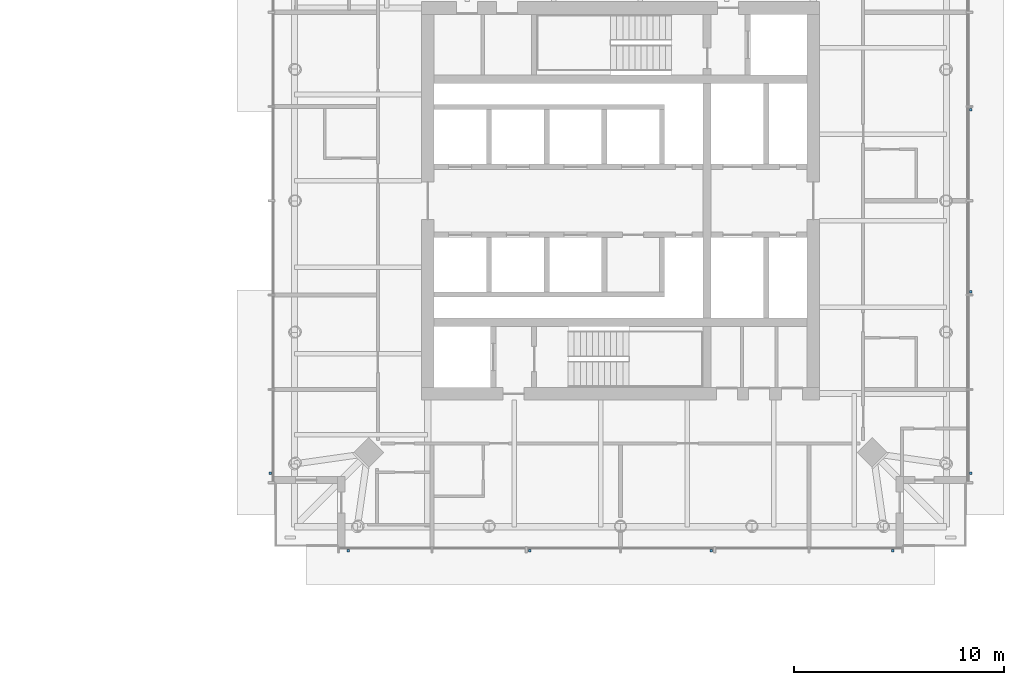
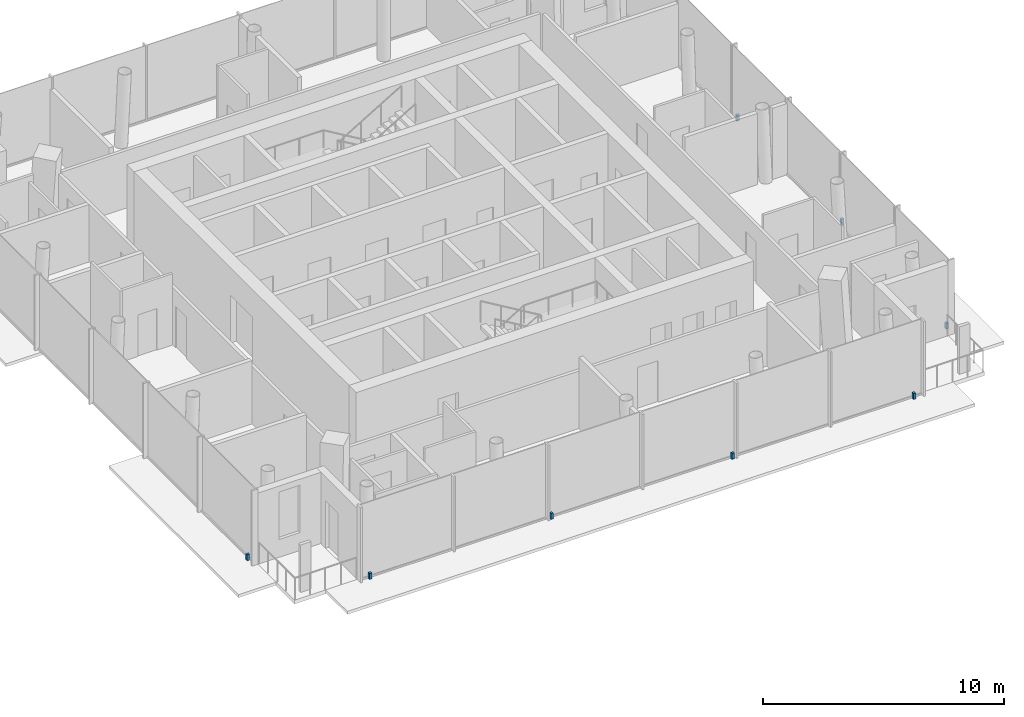
# One storey, part 17 of 20: 8 discrete accessories.
"""IFC4 building model written with IfcOpenShell, lengths in metres."""

from ifc_helpers import new_model, si_unit, direction, frame, origin, origin_2d, place, context, subcontext, project, spatial, rectangle, extrude, material, type_object, element, save


model = new_model("IFC4")

# Units and contexts
model_context = context("Model", 3, precision=1e-05, world=origin(), true_north=direction((0.0, 1.0)))
body_context = subcontext(model_context, "Body", "Model", "MODEL_VIEW")
ifc_project = project(units=[si_unit("LENGTHUNIT", "METRE"), si_unit("AREAUNIT", "SQUARE_METRE"), si_unit("VOLUMEUNIT", "CUBIC_METRE"), si_unit("PLANEANGLEUNIT", "RADIAN"), si_unit("MASSUNIT", "GRAM", prefix="KILO")], contexts=[model_context])

# Site, building, storey
site_placement = place(None, origin())
site = spatial("IfcSite", under=ifc_project, at=site_placement, CompositionType="ELEMENT")
building_placement = place(site_placement, origin())
building = spatial("IfcBuilding", under=site, at=building_placement, Name="Ostroluk Exchange", CompositionType="ELEMENT")
storey_placement = place(building_placement, frame((0.0, 0.0, 100.800048828125)))
storey = spatial("IfcBuildingStorey", under=building, at=storey_placement, Name="L25", CompositionType="ELEMENT", Elevation=100.800048828125)

# Discrete accessories
ifc_material = material(Name="Stainless steel", Category="steel")
discrete_accessory_type = type_object("IfcDiscreteAccessoryType", Name="Fall-arrest anchor PN-EN 795 type C", PredefinedType="USERDEFINED", material=ifc_material)
for number, where, z_axis, x_axis, name in (
    (1, (104.0, 29.2900390625, 0.0), (0.0, 0.0, 1.0), (1.0, 0.0, 0.0), "Fall-arrest anchor L25 south 1"),
    (2, (112.666748046875, 29.2900390625, 0.0), (0.0, 0.0, 1.0), (1.0, 0.0, 0.0), "Fall-arrest anchor L25 south 2"),
    (3, (121.333251953125, 29.2900390625, 0.0), (0.0, 0.0, 1.0), (1.0, 0.0, 0.0), "Fall-arrest anchor L25 south 3"),
    (4, (130.0, 29.2900390625, 0.0), (0.0, 0.0, 1.0), (1.0, 0.0, 0.0), "Fall-arrest anchor L25 south 4"),
    (5, (133.7099609375, 33.0, 0.0), (0.0, 0.0, 1.0), (1.0, 0.0, 0.0), "Fall-arrest anchor L25 east 1"),
    (6, (133.7099609375, 41.666748046875, 0.0), (0.0, 0.0, 1.0), (1.0, 0.0, 0.0), "Fall-arrest anchor L25 east 2"),
    (7, (133.7099609375, 50.333251953125, 0.0), (0.0, 0.0, 1.0), (1.0, 0.0, 0.0), "Fall-arrest anchor L25 east 3"),
    (8, (100.2900390625, 33.0, 0.0), (0.0, 0.0, 1.0), (1.0, 0.0, 0.0), "Fall-arrest anchor L25 west 1"),
):
    element("IfcDiscreteAccessory", number, at=place(storey_placement, frame(where, z_axis=z_axis, x_axis=x_axis)), inside=storey, type_object=discrete_accessory_type, Name=name, ObjectType="FALL ARREST ANCHOR", PredefinedType="USERDEFINED", context=body_context, shape_type="SweptSolid", body=[
        extrude(rectangle(XDim=0.1201171875, YDim=0.1201171875, at=origin_2d()), origin(), (0.0, 0.0, 1.0), 0.300048828125),
    ])

save(model, "model.ifc")
